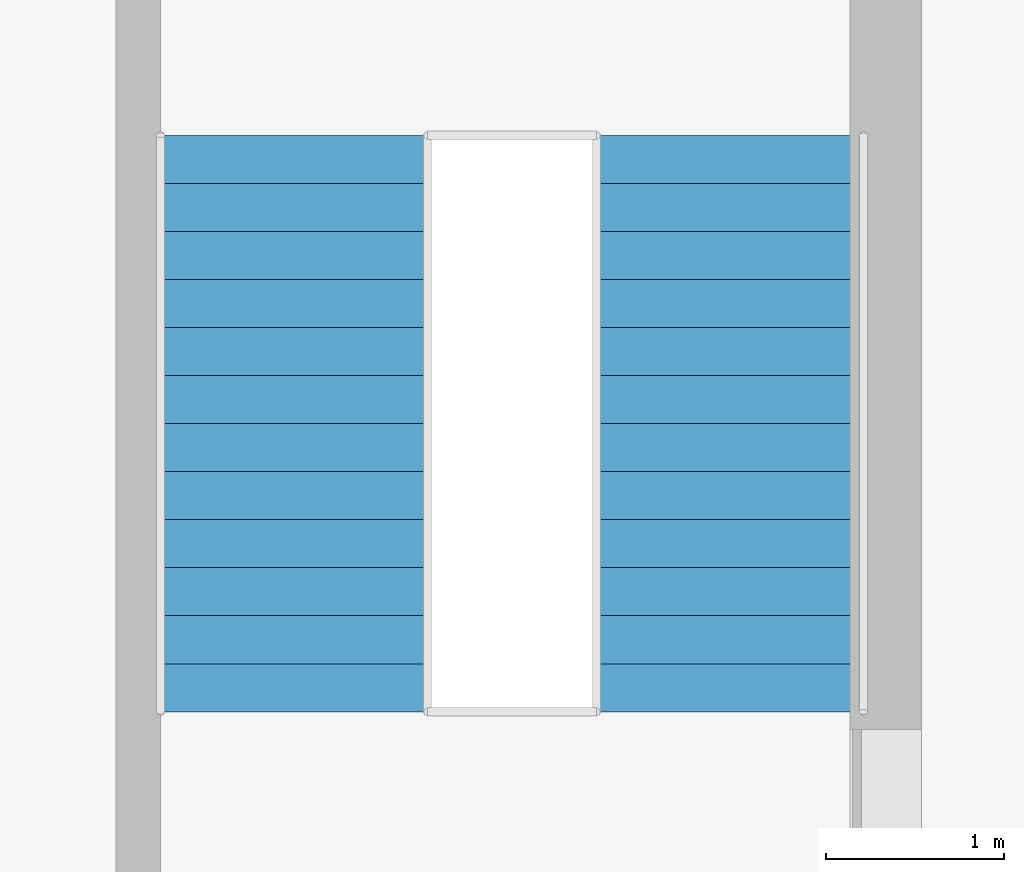
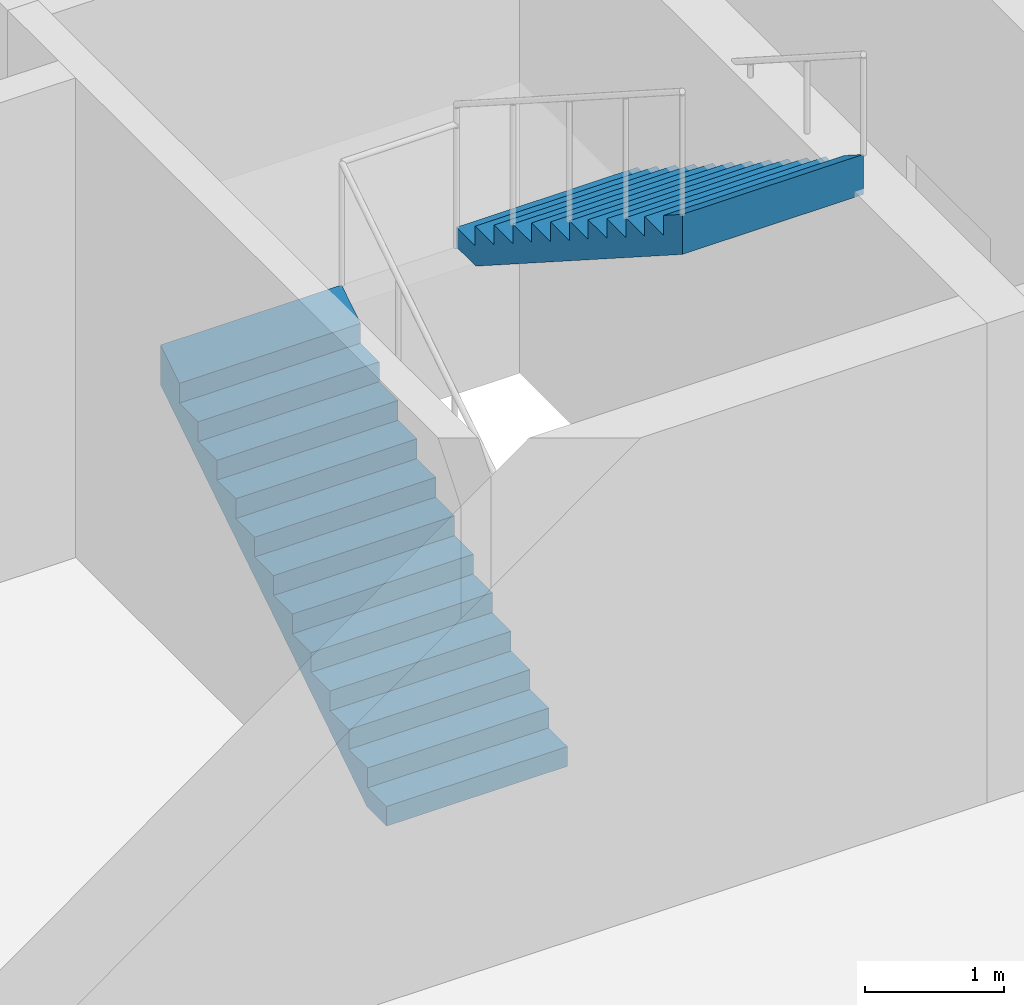
# One storey, part 9 of 13: 2 stair flights, 1 element without a shape of its own.
"""IFC4 building model written with IfcOpenShell, lengths in metres."""

import ifcopenshell
import ifcopenshell.guid

model = None  # the IFC model being written
_history = None  # IfcOwnerHistory: only IFC2X3 demands one
_inside = {}  # id of a spatial element -> (the spatial element, [elements in it])
_under = {}  # id of a project, library or spatial element -> (it, [spatial elements below it])
_declared = {}  # id of a project -> (the project, [libraries it declares])
_typed = {}  # id of a type object -> (the type object, [elements of that type])
_made_of = {}  # id of a material, layer set ... -> (it, [elements and type objects made of it])


def new_model(schema):
    """Start an empty IFC model of exactly this schema.

    Asked for "IFC4X3", IfcOpenShell would pick the latest addendum, in which some entities
    have other attributes; the version numbers below select the first issue.
    IFC2X3 requires an IfcOwnerHistory on every rooted entity: one is made here for all.
    """
    global model, _history
    if schema == "IFC4X3":
        model = ifcopenshell.file(schema_version=(4, 3, 0, 0))
    else:
        model = ifcopenshell.file(schema=schema)
    _inside.clear()
    _under.clear()
    _declared.clear()
    _typed.clear()
    _made_of.clear()
    _history = None
    if model.schema == "IFC2X3":
        org = make("IfcOrganization", Name="unknown")
        user = make(
            "IfcPersonAndOrganization",
            ThePerson=make("IfcPerson", FamilyName="unknown"),
            TheOrganization=org,
        )
        app = make(
            "IfcApplication",
            ApplicationDeveloper=org,
            Version="unknown",
            ApplicationFullName="unknown",
            ApplicationIdentifier="unknown",
        )
        _history = make(
            "IfcOwnerHistory",
            OwningUser=user,
            OwningApplication=app,
            ChangeAction="ADDED",
            CreationDate=0,
        )
    return model


def make(cls, **values):
    """One entity of the class cls with the attributes given. An attribute that is None is left unset."""
    return model.create_entity(
        cls, **{name: value for name, value in values.items() if value is not None}
    )


def rooted(cls, **values):
    """An entity with a GlobalId (a new one), such as an element, a storey or a relation."""
    return make(cls, GlobalId=ifcopenshell.guid.new(), OwnerHistory=_history, **values)


def si_unit(unit_type, name, prefix=None):
    """IfcSIUnit, for example si_unit("LENGTHUNIT", "METRE", prefix="MILLI")."""
    return make("IfcSIUnit", UnitType=unit_type, Prefix=prefix, Name=name)


def assignment(units):
    """IfcUnitAssignment: the units of a project."""
    return None if units is None else make("IfcUnitAssignment", Units=units)


def point(xyz):
    """IfcCartesianPoint."""
    return None if xyz is None else make("IfcCartesianPoint", Coordinates=xyz)


def direction(xyz):
    """IfcDirection."""
    return None if xyz is None else make("IfcDirection", DirectionRatios=xyz)


def frame(location, z_axis=None, x_axis=None):
    """IfcAxis2Placement3D, a coordinate frame: its origin and axes. An axis left out is left unset."""
    return make(
        "IfcAxis2Placement3D",
        Location=point(location),
        Axis=direction(z_axis),
        RefDirection=direction(x_axis),
    )


def origin():
    """The frame at (0, 0, 0) with its axes left unset."""
    return frame((0.0, 0.0, 0.0))


def place(relative_to, where):
    """IfcLocalPlacement: puts the frame where relative to a parent placement (None: the world)."""
    return make(
        "IfcLocalPlacement", PlacementRelTo=relative_to, RelativePlacement=where
    )


def context(
    kind, dimensions, precision=None, world=None, true_north=None, identifier=None
):
    """IfcGeometricRepresentationContext, for example the 3D "Model" context."""
    return make(
        "IfcGeometricRepresentationContext",
        ContextIdentifier=identifier,
        ContextType=kind,
        CoordinateSpaceDimension=dimensions,
        Precision=precision,
        WorldCoordinateSystem=world,
        TrueNorth=true_north,
    )


def subcontext(parent, identifier, kind, view, scale=None):
    """IfcGeometricRepresentationSubContext, for example "Body" below "Model"."""
    return make(
        "IfcGeometricRepresentationSubContext",
        ContextIdentifier=identifier,
        ContextType=kind,
        ParentContext=parent,
        TargetScale=scale,
        TargetView=view,
    )


def project(units=None, contexts=None):
    """IfcProject with its units and contexts."""
    return rooted(
        "IfcProject",
        Name="project",
        RepresentationContexts=contexts,
        UnitsInContext=assignment(units),
    )


def spatial(cls, under=None, at=None, **own):
    """A site, building, storey or space (cls), placed at a placement, below another one or the project."""
    s = rooted(cls, ObjectPlacement=at, **own)
    if under is not None:
        _under.setdefault(under.id(), (under, []))[1].append(s)
    return s


def point_list(points):
    """IfcCartesianPointList2D or 3D."""
    cls = (
        "IfcCartesianPointList2D" if len(points[0]) == 2 else "IfcCartesianPointList3D"
    )
    return make(cls, CoordList=points)


def triangles(points, corners, closed=None, point_numbers=None):
    """IfcTriangulatedFaceSet: each triangle names its three corners, points numbered from 1."""
    return make(
        "IfcTriangulatedFaceSet",
        Coordinates=point_list(points),
        Closed=closed,
        CoordIndex=corners,
        PnIndex=point_numbers,
    )


def shape(context_of_items, identifier, shape_type, items):
    """IfcShapeRepresentation: the items that make up one representation, for example the "Body"."""
    return make(
        "IfcShapeRepresentation",
        ContextOfItems=context_of_items,
        RepresentationIdentifier=identifier,
        RepresentationType=shape_type,
        Items=items,
    )


def material(Name=None, Category=None):
    """IfcMaterial."""
    return make("IfcMaterial", Name=Name, Category=Category)


def made_of(thing, what):
    """Note that an element or type object is made of a material, layer set ...; save() writes the relation."""
    if what is not None:
        _made_of.setdefault(what.id(), (what, []))[1].append(thing)
    return thing


def type_object(cls, material=None, **own):
    """A type object (cls), such as IfcWallType, which elements share."""
    return made_of(rooted(cls, **own), material)


def element(
    cls,
    number,
    at=None,
    inside=None,
    cuts=None,
    type_object=None,
    material=None,
    context=None,
    identifier="Body",
    shape_type=None,
    held_by="IfcProductDefinitionShape",
    body=None,
    shapes=None,
    **own,
):
    """One element of the class cls, such as IfcWall. Its Tag is "e" and its number.

    at: its placement. inside: the storey or other place that contains it. cuts: it is an
    opening in that element (IfcRelVoidsElement). A single representation is given by context,
    identifier, shape_type and body (its items); several are given by shapes. held_by: the class
    of the entity that holds the representations. save() writes the other relations.
    """
    e = rooted(cls, Tag="e%d" % number, ObjectPlacement=at, **own)
    if body is not None:
        shapes = [shape(context, identifier, shape_type, body)]
    if shapes is not None:
        e.Representation = make(held_by, Representations=shapes)
    if inside is not None:
        _inside.setdefault(inside.id(), (inside, []))[1].append(e)
    if cuts is not None:
        rooted(
            "IfcRelVoidsElement", RelatingBuildingElement=cuts, RelatedOpeningElement=e
        )
    if type_object is not None:
        _typed.setdefault(type_object.id(), (type_object, []))[1].append(e)
    return made_of(e, material)


def aggregate(whole, parts):
    """IfcRelAggregates: a whole, such as a stair, and the parts it consists of."""
    return rooted("IfcRelAggregates", RelatingObject=whole, RelatedObjects=parts)


def save(model, path):
    """Write the relations noted so far, then the file.

    IfcRelAggregates (storeys below a building ...), IfcRelContainedInSpatialStructure (elements
    in a storey), IfcRelDefinesByType, IfcRelAssociatesMaterial and IfcRelDeclares: one each for
    every whole, place, type object, material and project.
    """
    for whole, parts in _under.values():
        aggregate(whole, parts)
    for where, things in _inside.values():
        rooted(
            "IfcRelContainedInSpatialStructure",
            RelatedElements=things,
            RelatingStructure=where,
        )
    for kind, things in _typed.values():
        rooted("IfcRelDefinesByType", RelatedObjects=things, RelatingType=kind)
    for what, things in _made_of.values():
        rooted("IfcRelAssociatesMaterial", RelatedObjects=things, RelatingMaterial=what)
    for by, libraries in _declared.values():
        rooted("IfcRelDeclares", RelatingContext=by, RelatedDefinitions=libraries)
    model.write(path)


model = new_model("IFC4")

# Units and contexts
model_context = context("Model", 3, precision=1e-05, world=origin(), true_north=direction((0.0, 1.0)))
body_context = subcontext(model_context, "Body", "Model", "MODEL_VIEW")
ifc_project = project(units=[si_unit("LENGTHUNIT", "METRE"), si_unit("AREAUNIT", "SQUARE_METRE"), si_unit("VOLUMEUNIT", "CUBIC_METRE"), si_unit("PLANEANGLEUNIT", "RADIAN"), si_unit("MASSUNIT", "GRAM", prefix="KILO")], contexts=[model_context])

# Site, building, storey
site_placement = place(None, origin())
site = spatial("IfcSite", under=ifc_project, at=site_placement, CompositionType="ELEMENT")
building_placement = place(site_placement, origin())
building = spatial("IfcBuilding", under=site, at=building_placement, Name="Ludao Terraces", CompositionType="ELEMENT")
storey_placement = place(building_placement, frame((0.0, 0.0, 241.5)))
storey = spatial("IfcBuildingStorey", under=building, at=storey_placement, Name="L66", CompositionType="ELEMENT", Elevation=241.5)

# Stair, stair flights
ifc_material = material(Name="Concrete C40", Category="concrete")
stair_type = type_object("IfcStairType", Name="INT Stair", PredefinedType="HALF_TURN_STAIR", material=ifc_material)
stair_placement = place(storey_placement, origin())
stair = element("IfcStair", 1, at=stair_placement, inside=storey, type_object=stair_type, Name="EXIT STAIR 3", PredefinedType="HALF_TURN_STAIR")
stair_flight_type = type_object("IfcStairFlightType", Name="INT Stair flight", PredefinedType="STRAIGHT", material=ifc_material)
stair_flight_1_placement = place(storey_placement, frame((91.425048828125, 56.949951171875, 0.0), z_axis=(0.0, 0.0, 1.0), x_axis=(0.0, 1.0, 0.0)))
stair_flight_1 = element("IfcStairFlight", 2, at=stair_flight_1_placement, type_object=stair_flight_type, Name="ST3 flight 1", NumberOfRisers=13, NumberOfTreads=12, PredefinedType="STRAIGHT", RiserHeight=0.173077, TreadLength=0.27, context=body_context, shape_type="Tessellation", body=[
    triangles([(0.0, -0.75, 0.0), (0.0, -0.5, 0.0), (0.0, -0.25, 0.0), (0.0, 0.0, 0.0), (0.0, 0.25, 0.0), (0.0, 0.5, 0.0), (0.0, 0.75, 0.0), (0.0, -0.75, 0.173095703125), (0.0, -0.5, 0.173095703125), (0.0, -0.25, 0.173095703125), (0.0, 0.0, 0.173095703125), (0.0, 0.25, 0.173095703125), (0.0, 0.5, 0.173095703125), (0.0, 0.75, 0.173095703125), (0.27001953125, -0.75, 0.173095703125), (0.27001953125, -0.5, 0.173095703125), (0.27001953125, -0.25, 0.173095703125), (0.27001953125, 0.0, 0.173095703125), (0.27001953125, 0.25, 0.173095703125), (0.27001953125, 0.5, 0.173095703125), (0.27001953125, 0.75, 0.173095703125), (0.27001953125, -0.75, 0.34619140625), (0.27001953125, -0.5, 0.34619140625), (0.27001953125, -0.25, 0.34619140625), (0.27001953125, 0.0, 0.34619140625), (0.27001953125, 0.25, 0.34619140625), (0.27001953125, 0.5, 0.34619140625), (0.27001953125, 0.75, 0.34619140625), (0.5400390625, -0.75, 0.34619140625), (0.5400390625, -0.5, 0.34619140625), (0.5400390625, -0.25, 0.34619140625), (0.5400390625, 0.0, 0.34619140625), (0.5400390625, 0.25, 0.34619140625), (0.5400390625, 0.5, 0.34619140625), (0.5400390625, 0.75, 0.34619140625), (0.5400390625, -0.75, 0.519287109375), (0.5400390625, -0.5, 0.519287109375), (0.5400390625, -0.25, 0.519287109375), (0.5400390625, 0.0, 0.519287109375), (0.5400390625, 0.25, 0.519287109375), (0.5400390625, 0.5, 0.519287109375), (0.5400390625, 0.75, 0.519287109375), (0.81005859375, -0.75, 0.519287109375), (0.81005859375, -0.5, 0.519287109375), (0.81005859375, -0.25, 0.519287109375), (0.81005859375, 0.0, 0.519287109375), (0.81005859375, 0.25, 0.519287109375), (0.81005859375, 0.5, 0.519287109375), (0.81005859375, 0.75, 0.519287109375), (0.81005859375, -0.75, 0.6923828125), (0.81005859375, -0.5, 0.6923828125), (0.81005859375, -0.25, 0.6923828125), (0.81005859375, 0.0, 0.6923828125), (0.81005859375, 0.25, 0.6923828125), (0.81005859375, 0.5, 0.6923828125), (0.81005859375, 0.75, 0.6923828125), (1.080078125, -0.75, 0.6923828125), (1.080078125, -0.5, 0.6923828125), (1.080078125, -0.25, 0.6923828125), (1.080078125, 0.0, 0.6923828125), (1.080078125, 0.25, 0.6923828125), (1.080078125, 0.5, 0.6923828125), (1.080078125, 0.75, 0.6923828125), (1.080078125, -0.75, 0.865478515625), (1.080078125, -0.5, 0.865478515625), (1.080078125, -0.25, 0.865478515625), (1.080078125, 0.0, 0.865478515625), (1.080078125, 0.25, 0.865478515625), (1.080078125, 0.5, 0.865478515625), (1.080078125, 0.75, 0.865478515625), (1.35009765625, -0.75, 0.865478515625), (1.35009765625, -0.5, 0.865478515625), (1.35009765625, -0.25, 0.865478515625), (1.35009765625, 0.0, 0.865478515625), (1.35009765625, 0.25, 0.865478515625), (1.35009765625, 0.5, 0.865478515625), (1.35009765625, 0.75, 0.865478515625), (1.35009765625, -0.75, 1.03857421875), (1.35009765625, -0.5, 1.03857421875), (1.35009765625, -0.25, 1.03857421875), (1.35009765625, 0.0, 1.03857421875), (1.35009765625, 0.25, 1.03857421875), (1.35009765625, 0.5, 1.03857421875), (1.35009765625, 0.75, 1.03857421875), (1.6201171875, -0.75, 1.03857421875), (1.6201171875, -0.5, 1.03857421875), (1.6201171875, -0.25, 1.03857421875), (1.6201171875, 0.0, 1.03857421875), (1.6201171875, 0.25, 1.03857421875), (1.6201171875, 0.5, 1.03857421875), (1.6201171875, 0.75, 1.03857421875), (1.6201171875, -0.75, 1.21142578125), (1.6201171875, -0.5, 1.21142578125), (1.6201171875, -0.25, 1.21142578125), (1.6201171875, 0.0, 1.21142578125), (1.6201171875, 0.25, 1.21142578125), (1.6201171875, 0.5, 1.21142578125), (1.6201171875, 0.75, 1.21142578125), (1.889892578125, -0.75, 1.21142578125), (1.889892578125, -0.5, 1.21142578125), (1.889892578125, -0.25, 1.21142578125), (1.889892578125, 0.0, 1.21142578125), (1.889892578125, 0.25, 1.21142578125), (1.889892578125, 0.5, 1.21142578125), (1.889892578125, 0.75, 1.21142578125), (1.889892578125, -0.75, 1.384521484375), (1.889892578125, -0.5, 1.384521484375), (1.889892578125, -0.25, 1.384521484375), (1.889892578125, 0.0, 1.384521484375), (1.889892578125, 0.25, 1.384521484375), (1.889892578125, 0.5, 1.384521484375), (1.889892578125, 0.75, 1.384521484375), (2.159912109375, -0.75, 1.384521484375), (2.159912109375, -0.5, 1.384521484375), (2.159912109375, -0.25, 1.384521484375), (2.159912109375, 0.0, 1.384521484375), (2.159912109375, 0.25, 1.384521484375), (2.159912109375, 0.5, 1.384521484375), (2.159912109375, 0.75, 1.384521484375), (2.159912109375, -0.75, 1.5576171875), (2.159912109375, -0.5, 1.5576171875), (2.159912109375, -0.25, 1.5576171875), (2.159912109375, 0.0, 1.5576171875), (2.159912109375, 0.25, 1.5576171875), (2.159912109375, 0.5, 1.5576171875), (2.159912109375, 0.75, 1.5576171875), (2.429931640625, -0.75, 1.5576171875), (2.429931640625, -0.5, 1.5576171875), (2.429931640625, -0.25, 1.5576171875), (2.429931640625, 0.0, 1.5576171875), (2.429931640625, 0.25, 1.5576171875), (2.429931640625, 0.5, 1.5576171875), (2.429931640625, 0.75, 1.5576171875), (2.429931640625, -0.75, 1.730712890625), (2.429931640625, -0.5, 1.730712890625), (2.429931640625, -0.25, 1.730712890625), (2.429931640625, 0.0, 1.730712890625), (2.429931640625, 0.25, 1.730712890625), (2.429931640625, 0.5, 1.730712890625), (2.429931640625, 0.75, 1.730712890625), (2.699951171875, -0.75, 1.730712890625), (2.699951171875, -0.5, 1.730712890625), (2.699951171875, -0.25, 1.730712890625), (2.699951171875, 0.0, 1.730712890625), (2.699951171875, 0.25, 1.730712890625), (2.699951171875, 0.5, 1.730712890625), (2.699951171875, 0.75, 1.730712890625), (2.699951171875, -0.75, 1.90380859375), (2.699951171875, -0.5, 1.90380859375), (2.699951171875, -0.25, 1.90380859375), (2.699951171875, 0.0, 1.90380859375), (2.699951171875, 0.25, 1.90380859375), (2.699951171875, 0.5, 1.90380859375), (2.699951171875, 0.75, 1.90380859375), (2.969970703125, -0.75, 1.90380859375), (2.969970703125, -0.5, 1.90380859375), (2.969970703125, -0.25, 1.90380859375), (2.969970703125, 0.0, 1.90380859375), (2.969970703125, 0.25, 1.90380859375), (2.969970703125, 0.5, 1.90380859375), (2.969970703125, 0.75, 1.90380859375), (2.969970703125, -0.75, 2.076904296875), (2.969970703125, -0.5, 2.076904296875), (2.969970703125, -0.25, 2.076904296875), (2.969970703125, 0.0, 2.076904296875), (2.969970703125, 0.25, 2.076904296875), (2.969970703125, 0.5, 2.076904296875), (2.969970703125, 0.75, 2.076904296875), (3.239990234375, -0.75, 2.25), (3.239990234375, -0.5, 2.25), (3.239990234375, -0.25, 2.25), (3.239990234375, 0.0, 2.25), (3.239990234375, 0.25, 2.25), (3.239990234375, 0.5, 2.25), (3.239990234375, 0.75, 2.25), (3.239990234375, -0.75, 1.89892578125), (3.239990234375, -0.5, 1.89892578125), (3.239990234375, -0.25, 1.89892578125), (3.239990234375, 0.0, 1.89892578125), (3.239990234375, 0.25, 1.89892578125), (3.239990234375, 0.5, 1.89892578125), (3.239990234375, 0.75, 1.89892578125), (0.27783203125, -0.75, 0.0), (0.27783203125, -0.5, 0.0), (0.27783203125, -0.25, 0.0), (0.27783203125, 0.0, 0.0), (0.27783203125, 0.25, 0.0), (0.27783203125, 0.5, 0.0), (0.27783203125, 0.75, 0.0)], [[1, 183, 176], [7, 182, 189], [176, 169, 162], [182, 168, 175], [176, 162, 155], [182, 161, 168], [176, 155, 148], [182, 154, 161], [176, 148, 141], [182, 147, 154], [141, 134, 127], [147, 133, 140], [176, 141, 127], [182, 133, 147], [127, 120, 113], [133, 119, 126], [176, 127, 113], [182, 119, 133], [113, 106, 99], [119, 105, 112], [176, 113, 99], [182, 105, 119], [1, 176, 99], [7, 105, 182], [99, 92, 85], [105, 91, 98], [85, 78, 71], [91, 77, 84], [99, 85, 71], [105, 77, 91], [71, 64, 57], [77, 63, 70], [99, 71, 57], [105, 63, 77], [57, 50, 43], [63, 49, 56], [99, 57, 43], [105, 49, 63], [43, 36, 29], [49, 35, 42], [99, 43, 29], [105, 35, 49], [29, 22, 15], [35, 21, 28], [99, 29, 15], [105, 21, 35], [1, 99, 15], [7, 21, 105], [15, 8, 1], [21, 7, 14], [1, 9, 2], [1, 8, 9], [2, 10, 3], [2, 9, 10], [3, 11, 4], [3, 10, 11], [4, 12, 5], [4, 11, 12], [5, 13, 6], [5, 12, 13], [6, 14, 7], [6, 13, 14], [8, 16, 9], [8, 15, 16], [9, 17, 10], [9, 16, 17], [10, 18, 11], [10, 17, 18], [11, 19, 12], [11, 18, 19], [12, 20, 13], [12, 19, 20], [13, 21, 14], [13, 20, 21], [15, 23, 16], [15, 22, 23], [16, 24, 17], [16, 23, 24], [17, 25, 18], [17, 24, 25], [18, 26, 19], [18, 25, 26], [19, 27, 20], [19, 26, 27], [20, 28, 21], [20, 27, 28], [22, 30, 23], [22, 29, 30], [23, 31, 24], [23, 30, 31], [24, 32, 25], [24, 31, 32], [25, 33, 26], [25, 32, 33], [26, 34, 27], [26, 33, 34], [27, 35, 28], [27, 34, 35], [29, 37, 30], [29, 36, 37], [30, 38, 31], [30, 37, 38], [31, 39, 32], [31, 38, 39], [32, 40, 33], [32, 39, 40], [33, 41, 34], [33, 40, 41], [34, 42, 35], [34, 41, 42], [36, 44, 37], [36, 43, 44], [37, 45, 38], [37, 44, 45], [38, 46, 39], [38, 45, 46], [39, 47, 40], [39, 46, 47], [40, 48, 41], [40, 47, 48], [41, 49, 42], [41, 48, 49], [43, 51, 44], [43, 50, 51], [44, 52, 45], [44, 51, 52], [45, 53, 46], [45, 52, 53], [46, 54, 47], [46, 53, 54], [47, 55, 48], [47, 54, 55], [48, 56, 49], [48, 55, 56], [50, 58, 51], [50, 57, 58], [51, 59, 52], [51, 58, 59], [52, 60, 53], [52, 59, 60], [53, 61, 54], [53, 60, 61], [54, 62, 55], [54, 61, 62], [55, 63, 56], [55, 62, 63], [57, 65, 58], [57, 64, 65], [58, 66, 59], [58, 65, 66], [59, 67, 60], [59, 66, 67], [60, 68, 61], [60, 67, 68], [61, 69, 62], [61, 68, 69], [62, 70, 63], [62, 69, 70], [64, 72, 65], [64, 71, 72], [65, 73, 66], [65, 72, 73], [66, 74, 67], [66, 73, 74], [67, 75, 68], [67, 74, 75], [68, 76, 69], [68, 75, 76], [69, 77, 70], [69, 76, 77], [71, 79, 72], [71, 78, 79], [72, 80, 73], [72, 79, 80], [73, 81, 74], [73, 80, 81], [74, 82, 75], [74, 81, 82], [75, 83, 76], [75, 82, 83], [76, 84, 77], [76, 83, 84], [78, 86, 79], [78, 85, 86], [79, 87, 80], [79, 86, 87], [80, 88, 81], [80, 87, 88], [81, 89, 82], [81, 88, 89], [82, 90, 83], [82, 89, 90], [83, 91, 84], [83, 90, 91], [85, 93, 86], [85, 92, 93], [86, 94, 87], [86, 93, 94], [87, 95, 88], [87, 94, 95], [88, 96, 89], [88, 95, 96], [89, 97, 90], [89, 96, 97], [90, 98, 91], [90, 97, 98], [92, 100, 93], [92, 99, 100], [93, 101, 94], [93, 100, 101], [94, 102, 95], [94, 101, 102], [95, 103, 96], [95, 102, 103], [96, 104, 97], [96, 103, 104], [97, 105, 98], [97, 104, 105], [99, 107, 100], [99, 106, 107], [100, 108, 101], [100, 107, 108], [101, 109, 102], [101, 108, 109], [102, 110, 103], [102, 109, 110], [103, 111, 104], [103, 110, 111], [104, 112, 105], [104, 111, 112], [106, 114, 107], [106, 113, 114], [107, 115, 108], [107, 114, 115], [108, 116, 109], [108, 115, 116], [109, 117, 110], [109, 116, 117], [110, 118, 111], [110, 117, 118], [111, 119, 112], [111, 118, 119], [113, 121, 114], [113, 120, 121], [114, 122, 115], [114, 121, 122], [115, 123, 116], [115, 122, 123], [116, 124, 117], [116, 123, 124], [117, 125, 118], [117, 124, 125], [118, 126, 119], [118, 125, 126], [120, 128, 121], [120, 127, 128], [121, 129, 122], [121, 128, 129], [122, 130, 123], [122, 129, 130], [123, 131, 124], [123, 130, 131], [124, 132, 125], [124, 131, 132], [125, 133, 126], [125, 132, 133], [127, 135, 128], [127, 134, 135], [128, 136, 129], [128, 135, 136], [129, 137, 130], [129, 136, 137], [130, 138, 131], [130, 137, 138], [131, 139, 132], [131, 138, 139], [132, 140, 133], [132, 139, 140], [134, 142, 135], [134, 141, 142], [135, 143, 136], [135, 142, 143], [136, 144, 137], [136, 143, 144], [137, 145, 138], [137, 144, 145], [138, 146, 139], [138, 145, 146], [139, 147, 140], [139, 146, 147], [141, 149, 142], [141, 148, 149], [142, 150, 143], [142, 149, 150], [143, 151, 144], [143, 150, 151], [144, 152, 145], [144, 151, 152], [145, 153, 146], [145, 152, 153], [146, 154, 147], [146, 153, 154], [148, 156, 149], [148, 155, 156], [149, 157, 150], [149, 156, 157], [150, 158, 151], [150, 157, 158], [151, 159, 152], [151, 158, 159], [152, 160, 153], [152, 159, 160], [153, 161, 154], [153, 160, 161], [155, 163, 156], [155, 162, 163], [156, 164, 157], [156, 163, 164], [157, 165, 158], [157, 164, 165], [158, 166, 159], [158, 165, 166], [159, 167, 160], [159, 166, 167], [160, 168, 161], [160, 167, 168], [162, 170, 163], [162, 169, 170], [163, 171, 164], [163, 170, 171], [164, 172, 165], [164, 171, 172], [165, 173, 166], [165, 172, 173], [166, 174, 167], [166, 173, 174], [167, 175, 168], [167, 174, 175], [169, 177, 170], [169, 176, 177], [170, 178, 171], [170, 177, 178], [171, 179, 172], [171, 178, 179], [172, 180, 173], [172, 179, 180], [173, 181, 174], [173, 180, 181], [174, 182, 175], [174, 181, 182], [176, 184, 177], [176, 183, 184], [177, 185, 178], [177, 184, 185], [178, 186, 179], [178, 185, 186], [179, 187, 180], [179, 186, 187], [180, 188, 181], [180, 187, 188], [181, 189, 182], [181, 188, 189], [183, 2, 184], [183, 1, 2], [184, 3, 185], [184, 2, 3], [185, 4, 186], [185, 3, 4], [186, 5, 187], [186, 4, 5], [187, 6, 188], [187, 5, 6], [188, 7, 189], [188, 6, 7]], closed=True),
])
stair_flight_2_placement = place(storey_placement, frame((93.875, 60.18994140625, 2.25), z_axis=(0.0, 0.0, 1.0), x_axis=(0.0, -1.0, 0.0)))
stair_flight_2 = element("IfcStairFlight", 3, at=stair_flight_2_placement, type_object=stair_flight_type, Name="ST3 flight 2", NumberOfRisers=13, NumberOfTreads=12, PredefinedType="STRAIGHT", RiserHeight=0.173077, TreadLength=0.27, context=body_context, shape_type="Tessellation", body=[
    triangles([(0.0, -0.75, 0.0), (0.0, -0.5, 0.0), (0.0, -0.25, 0.0), (0.0, 0.0, 0.0), (0.0, 0.25, 0.0), (0.0, 0.5, 0.0), (0.0, 0.75, 0.0), (0.0, -0.75, 0.173095703125), (0.0, -0.5, 0.173095703125), (0.0, -0.25, 0.173095703125), (0.0, 0.0, 0.173095703125), (0.0, 0.25, 0.173095703125), (0.0, 0.5, 0.173095703125), (0.0, 0.75, 0.173095703125), (0.27001953125, -0.75, 0.173095703125), (0.27001953125, -0.5, 0.173095703125), (0.27001953125, -0.25, 0.173095703125), (0.27001953125, 0.0, 0.173095703125), (0.27001953125, 0.25, 0.173095703125), (0.27001953125, 0.5, 0.173095703125), (0.27001953125, 0.75, 0.173095703125), (0.27001953125, -0.75, 0.34619140625), (0.27001953125, -0.5, 0.34619140625), (0.27001953125, -0.25, 0.34619140625), (0.27001953125, 0.0, 0.34619140625), (0.27001953125, 0.25, 0.34619140625), (0.27001953125, 0.5, 0.34619140625), (0.27001953125, 0.75, 0.34619140625), (0.5400390625, -0.75, 0.34619140625), (0.5400390625, -0.5, 0.34619140625), (0.5400390625, -0.25, 0.34619140625), (0.5400390625, 0.0, 0.34619140625), (0.5400390625, 0.25, 0.34619140625), (0.5400390625, 0.5, 0.34619140625), (0.5400390625, 0.75, 0.34619140625), (0.5400390625, -0.75, 0.519287109375), (0.5400390625, -0.5, 0.519287109375), (0.5400390625, -0.25, 0.519287109375), (0.5400390625, 0.0, 0.519287109375), (0.5400390625, 0.25, 0.519287109375), (0.5400390625, 0.5, 0.519287109375), (0.5400390625, 0.75, 0.519287109375), (0.81005859375, -0.75, 0.519287109375), (0.81005859375, -0.5, 0.519287109375), (0.81005859375, -0.25, 0.519287109375), (0.81005859375, 0.0, 0.519287109375), (0.81005859375, 0.25, 0.519287109375), (0.81005859375, 0.5, 0.519287109375), (0.81005859375, 0.75, 0.519287109375), (0.81005859375, -0.75, 0.6923828125), (0.81005859375, -0.5, 0.6923828125), (0.81005859375, -0.25, 0.6923828125), (0.81005859375, 0.0, 0.6923828125), (0.81005859375, 0.25, 0.6923828125), (0.81005859375, 0.5, 0.6923828125), (0.81005859375, 0.75, 0.6923828125), (1.080078125, -0.75, 0.6923828125), (1.080078125, -0.5, 0.6923828125), (1.080078125, -0.25, 0.6923828125), (1.080078125, 0.0, 0.6923828125), (1.080078125, 0.25, 0.6923828125), (1.080078125, 0.5, 0.6923828125), (1.080078125, 0.75, 0.6923828125), (1.080078125, -0.75, 0.865478515625), (1.080078125, -0.5, 0.865478515625), (1.080078125, -0.25, 0.865478515625), (1.080078125, 0.0, 0.865478515625), (1.080078125, 0.25, 0.865478515625), (1.080078125, 0.5, 0.865478515625), (1.080078125, 0.75, 0.865478515625), (1.35009765625, -0.75, 0.865478515625), (1.35009765625, -0.5, 0.865478515625), (1.35009765625, -0.25, 0.865478515625), (1.35009765625, 0.0, 0.865478515625), (1.35009765625, 0.25, 0.865478515625), (1.35009765625, 0.5, 0.865478515625), (1.35009765625, 0.75, 0.865478515625), (1.35009765625, -0.75, 1.03857421875), (1.35009765625, -0.5, 1.03857421875), (1.35009765625, -0.25, 1.03857421875), (1.35009765625, 0.0, 1.03857421875), (1.35009765625, 0.25, 1.03857421875), (1.35009765625, 0.5, 1.03857421875), (1.35009765625, 0.75, 1.03857421875), (1.6201171875, -0.75, 1.03857421875), (1.6201171875, -0.5, 1.03857421875), (1.6201171875, -0.25, 1.03857421875), (1.6201171875, 0.0, 1.03857421875), (1.6201171875, 0.25, 1.03857421875), (1.6201171875, 0.5, 1.03857421875), (1.6201171875, 0.75, 1.03857421875), (1.6201171875, -0.75, 1.21142578125), (1.6201171875, -0.5, 1.21142578125), (1.6201171875, -0.25, 1.21142578125), (1.6201171875, 0.0, 1.21142578125), (1.6201171875, 0.25, 1.21142578125), (1.6201171875, 0.5, 1.21142578125), (1.6201171875, 0.75, 1.21142578125), (1.889892578125, -0.75, 1.21142578125), (1.889892578125, -0.5, 1.21142578125), (1.889892578125, -0.25, 1.21142578125), (1.889892578125, 0.0, 1.21142578125), (1.889892578125, 0.25, 1.21142578125), (1.889892578125, 0.5, 1.21142578125), (1.889892578125, 0.75, 1.21142578125), (1.889892578125, -0.75, 1.384521484375), (1.889892578125, -0.5, 1.384521484375), (1.889892578125, -0.25, 1.384521484375), (1.889892578125, 0.0, 1.384521484375), (1.889892578125, 0.25, 1.384521484375), (1.889892578125, 0.5, 1.384521484375), (1.889892578125, 0.75, 1.384521484375), (2.159912109375, -0.75, 1.384521484375), (2.159912109375, -0.5, 1.384521484375), (2.159912109375, -0.25, 1.384521484375), (2.159912109375, 0.0, 1.384521484375), (2.159912109375, 0.25, 1.384521484375), (2.159912109375, 0.5, 1.384521484375), (2.159912109375, 0.75, 1.384521484375), (2.159912109375, -0.75, 1.5576171875), (2.159912109375, -0.5, 1.5576171875), (2.159912109375, -0.25, 1.5576171875), (2.159912109375, 0.0, 1.5576171875), (2.159912109375, 0.25, 1.5576171875), (2.159912109375, 0.5, 1.5576171875), (2.159912109375, 0.75, 1.5576171875), (2.429931640625, -0.75, 1.5576171875), (2.429931640625, -0.5, 1.5576171875), (2.429931640625, -0.25, 1.5576171875), (2.429931640625, 0.0, 1.5576171875), (2.429931640625, 0.25, 1.5576171875), (2.429931640625, 0.5, 1.5576171875), (2.429931640625, 0.75, 1.5576171875), (2.429931640625, -0.75, 1.730712890625), (2.429931640625, -0.5, 1.730712890625), (2.429931640625, -0.25, 1.730712890625), (2.429931640625, 0.0, 1.730712890625), (2.429931640625, 0.25, 1.730712890625), (2.429931640625, 0.5, 1.730712890625), (2.429931640625, 0.75, 1.730712890625), (2.699951171875, -0.75, 1.730712890625), (2.699951171875, -0.5, 1.730712890625), (2.699951171875, -0.25, 1.730712890625), (2.699951171875, 0.0, 1.730712890625), (2.699951171875, 0.25, 1.730712890625), (2.699951171875, 0.5, 1.730712890625), (2.699951171875, 0.75, 1.730712890625), (2.699951171875, -0.75, 1.90380859375), (2.699951171875, -0.5, 1.90380859375), (2.699951171875, -0.25, 1.90380859375), (2.699951171875, 0.0, 1.90380859375), (2.699951171875, 0.25, 1.90380859375), (2.699951171875, 0.5, 1.90380859375), (2.699951171875, 0.75, 1.90380859375), (2.969970703125, -0.75, 1.90380859375), (2.969970703125, -0.5, 1.90380859375), (2.969970703125, -0.25, 1.90380859375), (2.969970703125, 0.0, 1.90380859375), (2.969970703125, 0.25, 1.90380859375), (2.969970703125, 0.5, 1.90380859375), (2.969970703125, 0.75, 1.90380859375), (2.969970703125, -0.75, 2.076904296875), (2.969970703125, -0.5, 2.076904296875), (2.969970703125, -0.25, 2.076904296875), (2.969970703125, 0.0, 2.076904296875), (2.969970703125, 0.25, 2.076904296875), (2.969970703125, 0.5, 2.076904296875), (2.969970703125, 0.75, 2.076904296875), (3.239990234375, -0.75, 2.25), (3.239990234375, -0.5, 2.25), (3.239990234375, -0.25, 2.25), (3.239990234375, 0.0, 2.25), (3.239990234375, 0.25, 2.25), (3.239990234375, 0.5, 2.25), (3.239990234375, 0.75, 2.25), (3.239990234375, -0.75, 1.89892578125), (3.239990234375, -0.5, 1.89892578125), (3.239990234375, -0.25, 1.89892578125), (3.239990234375, 0.0, 1.89892578125), (3.239990234375, 0.25, 1.89892578125), (3.239990234375, 0.5, 1.89892578125), (3.239990234375, 0.75, 1.89892578125), (0.27783203125, -0.75, 0.0), (0.27783203125, -0.5, 0.0), (0.27783203125, -0.25, 0.0), (0.27783203125, 0.0, 0.0), (0.27783203125, 0.25, 0.0), (0.27783203125, 0.5, 0.0), (0.27783203125, 0.75, 0.0)], [[1, 183, 176], [7, 182, 189], [176, 169, 162], [182, 168, 175], [176, 162, 155], [182, 161, 168], [176, 155, 148], [182, 154, 161], [176, 148, 141], [182, 147, 154], [141, 134, 127], [147, 133, 140], [176, 141, 127], [182, 133, 147], [127, 120, 113], [133, 119, 126], [176, 127, 113], [182, 119, 133], [113, 106, 99], [119, 105, 112], [176, 113, 99], [182, 105, 119], [1, 176, 99], [7, 105, 182], [99, 92, 85], [105, 91, 98], [85, 78, 71], [91, 77, 84], [99, 85, 71], [105, 77, 91], [71, 64, 57], [77, 63, 70], [99, 71, 57], [105, 63, 77], [57, 50, 43], [63, 49, 56], [99, 57, 43], [105, 49, 63], [43, 36, 29], [49, 35, 42], [99, 43, 29], [105, 35, 49], [29, 22, 15], [35, 21, 28], [99, 29, 15], [105, 21, 35], [1, 99, 15], [7, 21, 105], [15, 8, 1], [21, 7, 14], [1, 9, 2], [1, 8, 9], [2, 10, 3], [2, 9, 10], [3, 11, 4], [3, 10, 11], [4, 12, 5], [4, 11, 12], [5, 13, 6], [5, 12, 13], [6, 14, 7], [6, 13, 14], [8, 16, 9], [8, 15, 16], [9, 17, 10], [9, 16, 17], [10, 18, 11], [10, 17, 18], [11, 19, 12], [11, 18, 19], [12, 20, 13], [12, 19, 20], [13, 21, 14], [13, 20, 21], [15, 23, 16], [15, 22, 23], [16, 24, 17], [16, 23, 24], [17, 25, 18], [17, 24, 25], [18, 26, 19], [18, 25, 26], [19, 27, 20], [19, 26, 27], [20, 28, 21], [20, 27, 28], [22, 30, 23], [22, 29, 30], [23, 31, 24], [23, 30, 31], [24, 32, 25], [24, 31, 32], [25, 33, 26], [25, 32, 33], [26, 34, 27], [26, 33, 34], [27, 35, 28], [27, 34, 35], [29, 37, 30], [29, 36, 37], [30, 38, 31], [30, 37, 38], [31, 39, 32], [31, 38, 39], [32, 40, 33], [32, 39, 40], [33, 41, 34], [33, 40, 41], [34, 42, 35], [34, 41, 42], [36, 44, 37], [36, 43, 44], [37, 45, 38], [37, 44, 45], [38, 46, 39], [38, 45, 46], [39, 47, 40], [39, 46, 47], [40, 48, 41], [40, 47, 48], [41, 49, 42], [41, 48, 49], [43, 51, 44], [43, 50, 51], [44, 52, 45], [44, 51, 52], [45, 53, 46], [45, 52, 53], [46, 54, 47], [46, 53, 54], [47, 55, 48], [47, 54, 55], [48, 56, 49], [48, 55, 56], [50, 58, 51], [50, 57, 58], [51, 59, 52], [51, 58, 59], [52, 60, 53], [52, 59, 60], [53, 61, 54], [53, 60, 61], [54, 62, 55], [54, 61, 62], [55, 63, 56], [55, 62, 63], [57, 65, 58], [57, 64, 65], [58, 66, 59], [58, 65, 66], [59, 67, 60], [59, 66, 67], [60, 68, 61], [60, 67, 68], [61, 69, 62], [61, 68, 69], [62, 70, 63], [62, 69, 70], [64, 72, 65], [64, 71, 72], [65, 73, 66], [65, 72, 73], [66, 74, 67], [66, 73, 74], [67, 75, 68], [67, 74, 75], [68, 76, 69], [68, 75, 76], [69, 77, 70], [69, 76, 77], [71, 79, 72], [71, 78, 79], [72, 80, 73], [72, 79, 80], [73, 81, 74], [73, 80, 81], [74, 82, 75], [74, 81, 82], [75, 83, 76], [75, 82, 83], [76, 84, 77], [76, 83, 84], [78, 86, 79], [78, 85, 86], [79, 87, 80], [79, 86, 87], [80, 88, 81], [80, 87, 88], [81, 89, 82], [81, 88, 89], [82, 90, 83], [82, 89, 90], [83, 91, 84], [83, 90, 91], [85, 93, 86], [85, 92, 93], [86, 94, 87], [86, 93, 94], [87, 95, 88], [87, 94, 95], [88, 96, 89], [88, 95, 96], [89, 97, 90], [89, 96, 97], [90, 98, 91], [90, 97, 98], [92, 100, 93], [92, 99, 100], [93, 101, 94], [93, 100, 101], [94, 102, 95], [94, 101, 102], [95, 103, 96], [95, 102, 103], [96, 104, 97], [96, 103, 104], [97, 105, 98], [97, 104, 105], [99, 107, 100], [99, 106, 107], [100, 108, 101], [100, 107, 108], [101, 109, 102], [101, 108, 109], [102, 110, 103], [102, 109, 110], [103, 111, 104], [103, 110, 111], [104, 112, 105], [104, 111, 112], [106, 114, 107], [106, 113, 114], [107, 115, 108], [107, 114, 115], [108, 116, 109], [108, 115, 116], [109, 117, 110], [109, 116, 117], [110, 118, 111], [110, 117, 118], [111, 119, 112], [111, 118, 119], [113, 121, 114], [113, 120, 121], [114, 122, 115], [114, 121, 122], [115, 123, 116], [115, 122, 123], [116, 124, 117], [116, 123, 124], [117, 125, 118], [117, 124, 125], [118, 126, 119], [118, 125, 126], [120, 128, 121], [120, 127, 128], [121, 129, 122], [121, 128, 129], [122, 130, 123], [122, 129, 130], [123, 131, 124], [123, 130, 131], [124, 132, 125], [124, 131, 132], [125, 133, 126], [125, 132, 133], [127, 135, 128], [127, 134, 135], [128, 136, 129], [128, 135, 136], [129, 137, 130], [129, 136, 137], [130, 138, 131], [130, 137, 138], [131, 139, 132], [131, 138, 139], [132, 140, 133], [132, 139, 140], [134, 142, 135], [134, 141, 142], [135, 143, 136], [135, 142, 143], [136, 144, 137], [136, 143, 144], [137, 145, 138], [137, 144, 145], [138, 146, 139], [138, 145, 146], [139, 147, 140], [139, 146, 147], [141, 149, 142], [141, 148, 149], [142, 150, 143], [142, 149, 150], [143, 151, 144], [143, 150, 151], [144, 152, 145], [144, 151, 152], [145, 153, 146], [145, 152, 153], [146, 154, 147], [146, 153, 154], [148, 156, 149], [148, 155, 156], [149, 157, 150], [149, 156, 157], [150, 158, 151], [150, 157, 158], [151, 159, 152], [151, 158, 159], [152, 160, 153], [152, 159, 160], [153, 161, 154], [153, 160, 161], [155, 163, 156], [155, 162, 163], [156, 164, 157], [156, 163, 164], [157, 165, 158], [157, 164, 165], [158, 166, 159], [158, 165, 166], [159, 167, 160], [159, 166, 167], [160, 168, 161], [160, 167, 168], [162, 170, 163], [162, 169, 170], [163, 171, 164], [163, 170, 171], [164, 172, 165], [164, 171, 172], [165, 173, 166], [165, 172, 173], [166, 174, 167], [166, 173, 174], [167, 175, 168], [167, 174, 175], [169, 177, 170], [169, 176, 177], [170, 178, 171], [170, 177, 178], [171, 179, 172], [171, 178, 179], [172, 180, 173], [172, 179, 180], [173, 181, 174], [173, 180, 181], [174, 182, 175], [174, 181, 182], [176, 184, 177], [176, 183, 184], [177, 185, 178], [177, 184, 185], [178, 186, 179], [178, 185, 186], [179, 187, 180], [179, 186, 187], [180, 188, 181], [180, 187, 188], [181, 189, 182], [181, 188, 189], [183, 2, 184], [183, 1, 2], [184, 3, 185], [184, 2, 3], [185, 4, 186], [185, 3, 4], [186, 5, 187], [186, 4, 5], [187, 6, 188], [187, 5, 6], [188, 7, 189], [188, 6, 7]], closed=True),
])
aggregate(stair, [stair_flight_1, stair_flight_2])

save(model, "model.ifc")
